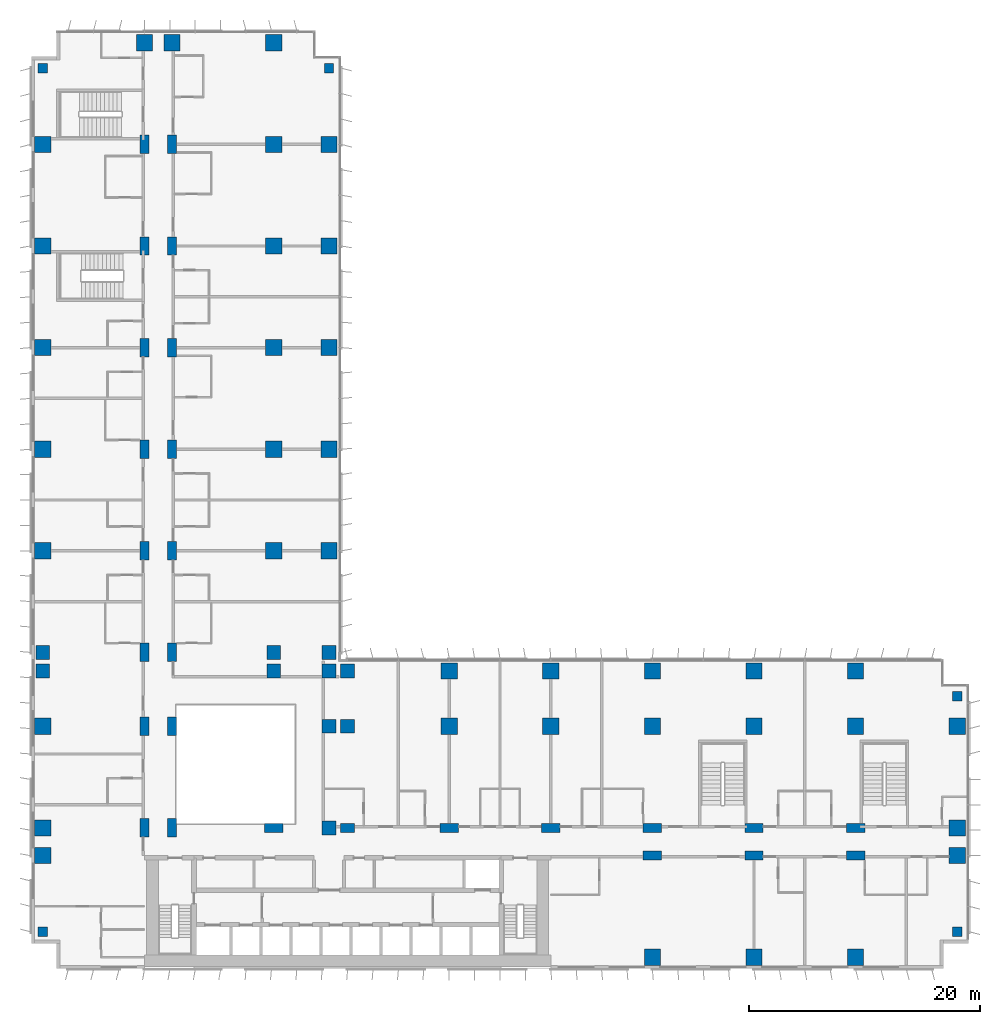
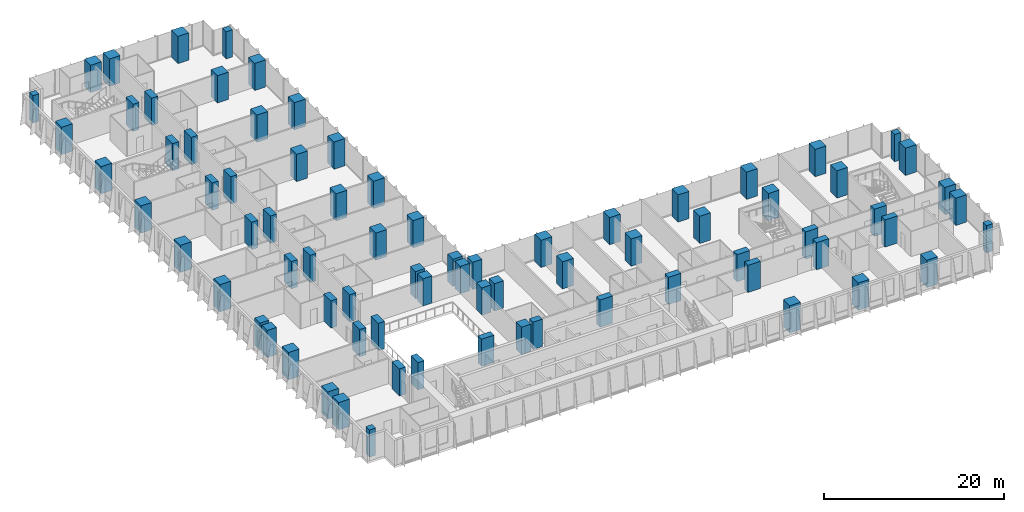
# One storey, part 1 of 24: 78 columns.
"""IFC4 building model written with IfcOpenShell, lengths in metres."""

from ifc_helpers import new_model, si_unit, direction, frame, origin, origin_2d, place, context, subcontext, project, spatial, rectangle, extrude, material, material_profile, profile_set, type_object, element, save


model = new_model("IFC4")

# Units and contexts
model_context = context("Model", 3, precision=1e-05, world=origin(), true_north=direction((0.0, 1.0)))
body_context = subcontext(model_context, "Body", "Model", "MODEL_VIEW")
ifc_project = project(units=[si_unit("LENGTHUNIT", "METRE"), si_unit("AREAUNIT", "SQUARE_METRE"), si_unit("VOLUMEUNIT", "CUBIC_METRE"), si_unit("PLANEANGLEUNIT", "RADIAN"), si_unit("MASSUNIT", "GRAM", prefix="KILO")], contexts=[model_context])

# Site, building, storey
site_placement = place(None, origin())
site = spatial("IfcSite", under=ifc_project, at=site_placement, CompositionType="ELEMENT")
building_placement = place(site_placement, origin())
building = spatial("IfcBuilding", under=site, at=building_placement, Name="Kemantara Hotel Tower", CompositionType="ELEMENT")
storey_placement = place(building_placement, frame((0.0, 0.0, 63.60009765625)))
storey = spatial("IfcBuildingStorey", under=building, at=storey_placement, Name="L14", CompositionType="ELEMENT", Elevation=63.60009765625)

# Columns
ifc_material = material(Name="Concrete fc 70 MPa", Category="concrete")
ifc_material_profile_1 = material_profile(ifc_material, rectangle(XDim=1.199951171875, YDim=1.199951171875, at=origin_2d()), Name="RC 1200X1200")
ifc_profile_set_1 = profile_set([ifc_material_profile_1], Name="Concrete fc 70 MPa")
column_type_1 = type_object("IfcColumnType", Name="RC COLUMN 1200X1200 FC70", PredefinedType="COLUMN", material=ifc_profile_set_1)
for number, where, z_axis, x_axis, name in (
    (1, (1.0, 25.800048828125, 0.0), (0.0, 0.0, 1.0), (1.0, 0.0, 0.0), "COLUMN 1/CA L14"),
    (2, (1.0, 27.39990234375, 0.0), (0.0, 0.0, 1.0), (1.0, 0.0, 0.0), "COLUMN 1/D L14"),
    (3, (21.0, 25.800048828125, 0.0), (0.0, 0.0, 1.0), (1.0, 0.0, 0.0), "COLUMN 3/CA L14"),
    (4, (21.0, 27.39990234375, 0.0), (0.0, 0.0, 1.0), (1.0, 0.0, 0.0), "COLUMN 3/D L14"),
    (5, (25.800048828125, 12.199951171875, 0.0), (0.0, 0.0, 1.0), (1.0, 0.0, 0.0), "COLUMN 3A/BA L14"),
    (6, (25.800048828125, 21.0, 0.0), (0.0, 0.0, 1.0), (1.0, 0.0, 0.0), "COLUMN 3A/C L14"),
    (7, (25.800048828125, 25.800048828125, 0.0), (0.0, 0.0, 1.0), (1.0, 0.0, 0.0), "COLUMN 3A/CA L14"),
    (8, (25.800048828125, 27.39990234375, 0.0), (0.0, 0.0, 1.0), (1.0, 0.0, 0.0), "COLUMN 3A/D L14"),
    (9, (27.39990234375, 21.0, 0.0), (0.0, 0.0, 1.0), (1.0, 0.0, 0.0), "COLUMN 4/C L14"),
    (10, (27.39990234375, 25.800048828125, 0.0), (0.0, 0.0, 1.0), (1.0, 0.0, 0.0), "COLUMN 4/CA L14"),
):
    element("IfcColumn", number, at=place(storey_placement, frame(where, z_axis=z_axis, x_axis=x_axis)), inside=storey, type_object=column_type_1, Name=name, PredefinedType="COLUMN", context=body_context, shape_type="SweptSolid", body=[
        extrude(rectangle(XDim=1.199951171875, YDim=1.199951171875, at=origin_2d()), origin(), (0.0, 0.0, 1.0), 3.699951171875),
    ])
ifc_material_profile_2 = material_profile(ifc_material, rectangle(XDim=1.199951171875, YDim=0.800048828125, at=origin_2d()), Name="RC 1200X800")
ifc_profile_set_2 = profile_set([ifc_material_profile_2], Name="Concrete fc 70 MPa")
column_type_2 = type_object("IfcColumnType", Name="RC COLUMN 1200X800 FC70", PredefinedType="COLUMN", material=ifc_profile_set_2)
column_placement = place(storey_placement, frame((27.39990234375, 12.199951171875, 0.0), z_axis=(0.0, 0.0, 1.0), x_axis=(1.0, 0.0, 0.0)))
element("IfcColumn", 11, at=column_placement, inside=storey, type_object=column_type_2, Name="COLUMN 4/BA L14", PredefinedType="COLUMN", context=body_context, shape_type="SweptSolid", body=[
    extrude(rectangle(XDim=1.199951171875, YDim=0.800048828125, at=origin_2d()), origin(), (0.0, 0.0, 1.0), 3.699951171875),
])
ifc_material_profile_3 = material_profile(ifc_material, rectangle(XDim=1.39990234375, YDim=1.39990234375, at=origin_2d()), Name="RC 1400X1400")
ifc_profile_set_3 = profile_set([ifc_material_profile_3], Name="Concrete fc 70 MPa")
column_type_3 = type_object("IfcColumnType", Name="RC COLUMN 1400X1400 FC70", PredefinedType="COLUMN", material=ifc_profile_set_3)
for number, where, z_axis, x_axis, name in (
    (12, (1.0, 9.800048828125, 0.0), (0.0, 0.0, 1.0), (1.0, 0.0, 0.0), "COLUMN 1/B L14"),
    (13, (1.0, 12.199951171875, 0.0), (0.0, 0.0, 1.0), (1.0, 0.0, 0.0), "COLUMN 1/BA L14"),
    (14, (1.0, 21.0, 0.0), (0.0, 0.0, 1.0), (1.0, 0.0, 0.0), "COLUMN 1/C L14"),
    (15, (1.0, 36.199951171875, 0.0), (0.0, 0.0, 1.0), (1.0, 0.0, 0.0), "COLUMN 1/E L14"),
    (16, (1.0, 45.0, 0.0), (0.0, 0.0, 1.0), (1.0, 0.0, 0.0), "COLUMN 1/F L14"),
    (17, (1.0, 53.800048828125, 0.0), (0.0, 0.0, 1.0), (1.0, 0.0, 0.0), "COLUMN 1/G L14"),
    (18, (1.0, 62.60009765625, 0.0), (0.0, 0.0, 1.0), (1.0, 0.0, 0.0), "COLUMN 1/H L14"),
    (19, (1.0, 71.39990234375, 0.0), (0.0, 0.0, 1.0), (1.0, 0.0, 0.0), "COLUMN 1/J L14"),
    (20, (9.800048828125, 80.199951171875, 0.0), (0.0, 0.0, 1.0), (1.0, 0.0, 0.0), "COLUMN 2/K L14"),
    (21, (12.199951171875, 80.199951171875, 0.0), (0.0, 0.0, 1.0), (1.0, 0.0, 0.0), "COLUMN 2A/K L14"),
    (22, (21.0, 36.199951171875, 0.0), (0.0, 0.0, 1.0), (1.0, 0.0, 0.0), "COLUMN 3/E L14"),
    (23, (21.0, 45.0, 0.0), (0.0, 0.0, 1.0), (1.0, 0.0, 0.0), "COLUMN 3/F L14"),
    (24, (21.0, 53.800048828125, 0.0), (0.0, 0.0, 1.0), (1.0, 0.0, 0.0), "COLUMN 3/G L14"),
    (25, (21.0, 62.60009765625, 0.0), (0.0, 0.0, 1.0), (1.0, 0.0, 0.0), "COLUMN 3/H L14"),
    (26, (21.0, 71.39990234375, 0.0), (0.0, 0.0, 1.0), (1.0, 0.0, 0.0), "COLUMN 3/J L14"),
    (27, (21.0, 80.199951171875, 0.0), (0.0, 0.0, 1.0), (1.0, 0.0, 0.0), "COLUMN 3/K L14"),
    (28, (25.800048828125, 36.199951171875, 0.0), (0.0, 0.0, 1.0), (1.0, 0.0, 0.0), "COLUMN 3A/E L14"),
    (29, (25.800048828125, 45.0, 0.0), (0.0, 0.0, 1.0), (1.0, 0.0, 0.0), "COLUMN 3A/F L14"),
    (30, (25.800048828125, 53.800048828125, 0.0), (0.0, 0.0, 1.0), (1.0, 0.0, 0.0), "COLUMN 3A/G L14"),
    (31, (25.800048828125, 62.60009765625, 0.0), (0.0, 0.0, 1.0), (1.0, 0.0, 0.0), "COLUMN 3A/H L14"),
    (32, (25.800048828125, 71.39990234375, 0.0), (0.0, 0.0, 1.0), (1.0, 0.0, 0.0), "COLUMN 3A/J L14"),
    (33, (36.199951171875, 21.0, 0.0), (0.0, 0.0, 1.0), (1.0, 0.0, 0.0), "COLUMN 5/C L14"),
    (34, (36.199951171875, 25.800048828125, 0.0), (0.0, 0.0, 1.0), (1.0, 0.0, 0.0), "COLUMN 5/CA L14"),
    (35, (45.0, 21.0, 0.0), (0.0, 0.0, 1.0), (1.0, 0.0, 0.0), "COLUMN 6/C L14"),
    (36, (45.0, 25.800048828125, 0.0), (0.0, 0.0, 1.0), (1.0, 0.0, 0.0), "COLUMN 6/CA L14"),
    (37, (53.800048828125, 1.0, 0.0), (0.0, 0.0, 1.0), (1.0, 0.0, 0.0), "COLUMN 7/A L14"),
    (38, (53.800048828125, 21.0, 0.0), (0.0, 0.0, 1.0), (1.0, 0.0, 0.0), "COLUMN 7/C L14"),
    (39, (53.800048828125, 25.800048828125, 0.0), (0.0, 0.0, 1.0), (1.0, 0.0, 0.0), "COLUMN 7/CA L14"),
    (40, (62.60009765625, 1.0, 0.0), (0.0, 0.0, 1.0), (1.0, 0.0, 0.0), "COLUMN 8/A L14"),
    (41, (62.60009765625, 21.0, 0.0), (0.0, 0.0, 1.0), (1.0, 0.0, 0.0), "COLUMN 8/C L14"),
    (42, (62.60009765625, 25.800048828125, 0.0), (0.0, 0.0, 1.0), (1.0, 0.0, 0.0), "COLUMN 8/CA L14"),
    (43, (71.39990234375, 1.0, 0.0), (0.0, 0.0, 1.0), (1.0, 0.0, 0.0), "COLUMN 9/A L14"),
    (44, (71.39990234375, 21.0, 0.0), (0.0, 0.0, 1.0), (1.0, 0.0, 0.0), "COLUMN 9/C L14"),
    (45, (71.39990234375, 25.800048828125, 0.0), (0.0, 0.0, 1.0), (1.0, 0.0, 0.0), "COLUMN 9/CA L14"),
    (46, (80.199951171875, 9.800048828125, 0.0), (0.0, 0.0, 1.0), (1.0, 0.0, 0.0), "COLUMN 10/B L14"),
    (47, (80.199951171875, 12.199951171875, 0.0), (0.0, 0.0, 1.0), (1.0, 0.0, 0.0), "COLUMN 10/BA L14"),
    (48, (80.199951171875, 21.0, 0.0), (0.0, 0.0, 1.0), (1.0, 0.0, 0.0), "COLUMN 10/C L14"),
):
    element("IfcColumn", number, at=place(storey_placement, frame(where, z_axis=z_axis, x_axis=x_axis)), inside=storey, type_object=column_type_3, Name=name, PredefinedType="COLUMN", context=body_context, shape_type="SweptSolid", body=[
        extrude(rectangle(XDim=1.39990234375, YDim=1.39990234375, at=origin_2d()), origin(), (0.0, 0.0, 1.0), 3.699951171875),
    ])
ifc_material_profile_4 = material_profile(ifc_material, rectangle(XDim=1.60009765625, YDim=0.800048828125, at=origin_2d()), Name="RC 1600X800")
ifc_profile_set_4 = profile_set([ifc_material_profile_4], Name="Concrete fc 70 MPa")
column_type_4 = type_object("IfcColumnType", Name="RC COLUMN 1600X800 FC70", PredefinedType="COLUMN", material=ifc_profile_set_4)
for number, where, z_axis, x_axis, name in (
    (49, (9.800048828125, 12.199951171875, 0.0), (0.0, 0.0, 1.0), (0.0, 1.0, 0.0), "COLUMN 2/BA L14"),
    (50, (9.800048828125, 21.0, 0.0), (0.0, 0.0, 1.0), (0.0, 1.0, 0.0), "COLUMN 2/C L14"),
    (51, (9.800048828125, 27.39990234375, 0.0), (0.0, 0.0, 1.0), (0.0, 1.0, 0.0), "COLUMN 2/D L14"),
    (52, (9.800048828125, 36.199951171875, 0.0), (0.0, 0.0, 1.0), (0.0, 1.0, 0.0), "COLUMN 2/E L14"),
    (53, (9.800048828125, 45.0, 0.0), (0.0, 0.0, 1.0), (0.0, 1.0, 0.0), "COLUMN 2/F L14"),
    (54, (9.800048828125, 53.800048828125, 0.0), (0.0, 0.0, 1.0), (0.0, 1.0, 0.0), "COLUMN 2/G L14"),
    (55, (9.800048828125, 62.60009765625, 0.0), (0.0, 0.0, 1.0), (0.0, 1.0, 0.0), "COLUMN 2/H L14"),
    (56, (9.800048828125, 71.39990234375, 0.0), (0.0, 0.0, 1.0), (0.0, 1.0, 0.0), "COLUMN 2/J L14"),
    (57, (12.199951171875, 12.199951171875, 0.0), (0.0, 0.0, 1.0), (0.0, 1.0, 0.0), "COLUMN 2A/BA L14"),
    (58, (12.199951171875, 21.0, 0.0), (0.0, 0.0, 1.0), (0.0, 1.0, 0.0), "COLUMN 2A/C L14"),
    (59, (12.199951171875, 27.39990234375, 0.0), (0.0, 0.0, 1.0), (0.0, 1.0, 0.0), "COLUMN 2A/D L14"),
    (60, (12.199951171875, 36.199951171875, 0.0), (0.0, 0.0, 1.0), (0.0, 1.0, 0.0), "COLUMN 2A/E L14"),
    (61, (12.199951171875, 45.0, 0.0), (0.0, 0.0, 1.0), (0.0, 1.0, 0.0), "COLUMN 2A/F L14"),
    (62, (12.199951171875, 53.800048828125, 0.0), (0.0, 0.0, 1.0), (0.0, 1.0, 0.0), "COLUMN 2A/G L14"),
    (63, (12.199951171875, 62.60009765625, 0.0), (0.0, 0.0, 1.0), (0.0, 1.0, 0.0), "COLUMN 2A/H L14"),
    (64, (12.199951171875, 71.39990234375, 0.0), (0.0, 0.0, 1.0), (0.0, 1.0, 0.0), "COLUMN 2A/J L14"),
    (65, (21.0, 12.199951171875, 0.0), (0.0, 0.0, 1.0), (1.0, 0.0, 0.0), "COLUMN 3/BA L14"),
    (66, (36.199951171875, 12.199951171875, 0.0), (0.0, 0.0, 1.0), (1.0, 0.0, 0.0), "COLUMN 5/BA L14"),
    (67, (45.0, 12.199951171875, 0.0), (0.0, 0.0, 1.0), (1.0, 0.0, 0.0), "COLUMN 6/BA L14"),
    (68, (53.800048828125, 9.800048828125, 0.0), (0.0, 0.0, 1.0), (1.0, 0.0, 0.0), "COLUMN 7/B L14"),
    (69, (53.800048828125, 12.199951171875, 0.0), (0.0, 0.0, 1.0), (1.0, 0.0, 0.0), "COLUMN 7/BA L14"),
    (70, (62.60009765625, 9.800048828125, 0.0), (0.0, 0.0, 1.0), (1.0, 0.0, 0.0), "COLUMN 8/B L14"),
    (71, (62.60009765625, 12.199951171875, 0.0), (0.0, 0.0, 1.0), (1.0, 0.0, 0.0), "COLUMN 8/BA L14"),
    (72, (71.39990234375, 9.800048828125, 0.0), (0.0, 0.0, 1.0), (1.0, 0.0, 0.0), "COLUMN 9/B L14"),
    (73, (71.39990234375, 12.199951171875, 0.0), (0.0, 0.0, 1.0), (1.0, 0.0, 0.0), "COLUMN 9/BA L14"),
):
    element("IfcColumn", number, at=place(storey_placement, frame(where, z_axis=z_axis, x_axis=x_axis)), inside=storey, type_object=column_type_4, Name=name, PredefinedType="COLUMN", context=body_context, shape_type="SweptSolid", body=[
        extrude(rectangle(XDim=1.60009765625, YDim=0.800048828125, at=origin_2d()), origin(), (0.0, 0.0, 1.0), 3.699951171875),
    ])
ifc_material_profile_5 = material_profile(ifc_material, rectangle(XDim=0.800048828125, YDim=0.800048828125, at=origin_2d()), Name="RC 800X800")
ifc_profile_set_5 = profile_set([ifc_material_profile_5], Name="Concrete fc 70 MPa")
column_type_5 = type_object("IfcColumnType", Name="RC COLUMN 800X800 FC70", PredefinedType="COLUMN", material=ifc_profile_set_5)
for number, where, z_axis, x_axis, name in (
    (74, (1.0, 3.199951171875, 0.0), (0.0, 0.0, 1.0), (1.0, 0.0, 0.0), "COLUMN notch corner L14"),
    (75, (1.0, 78.0, 0.0), (0.0, 0.0, 1.0), (1.0, 0.0, 0.0), "COLUMN notch corner L14"),
    (76, (25.800048828125, 78.0, 0.0), (0.0, 0.0, 1.0), (1.0, 0.0, 0.0), "COLUMN notch corner L14"),
    (77, (80.199951171875, 3.199951171875, 0.0), (0.0, 0.0, 1.0), (1.0, 0.0, 0.0), "COLUMN notch corner L14"),
    (78, (80.199951171875, 23.60009765625, 0.0), (0.0, 0.0, 1.0), (1.0, 0.0, 0.0), "COLUMN notch corner L14"),
):
    element("IfcColumn", number, at=place(storey_placement, frame(where, z_axis=z_axis, x_axis=x_axis)), inside=storey, type_object=column_type_5, Name=name, PredefinedType="COLUMN", context=body_context, shape_type="SweptSolid", body=[
        extrude(rectangle(XDim=0.800048828125, YDim=0.800048828125, at=origin_2d()), origin(), (0.0, 0.0, 1.0), 3.699951171875),
    ])

save(model, "model.ifc")
